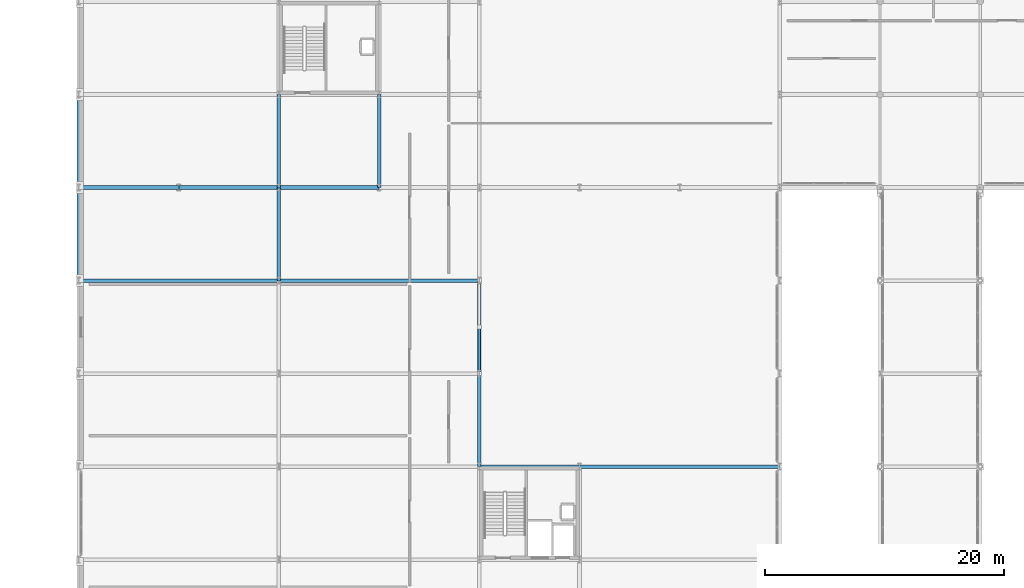
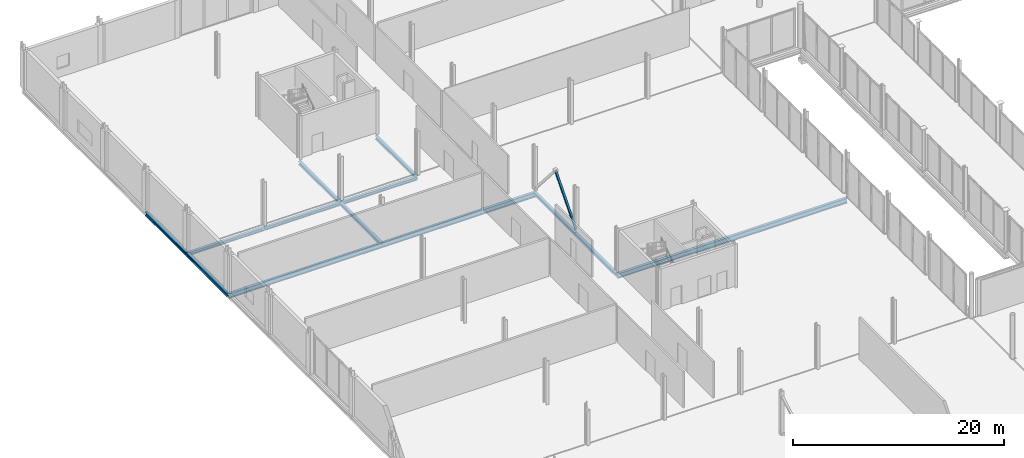
# One storey, part 40 of 105: 14 beams, 1 member.
"""IFC4 building model written with IfcOpenShell, lengths in metres."""

from ifc_helpers import new_model, si_unit, direction, frame, origin, origin_2d, place, context, subcontext, project, spatial, hollow_rectangle, i_section, extrude, material, material_profile, profile_set, type_object, element, save


model = new_model("IFC4")

# Units and contexts
model_context = context("Model", 3, precision=1e-05, world=origin(), true_north=direction((0.0, 1.0)))
body_context = subcontext(model_context, "Body", "Model", "MODEL_VIEW")
ifc_project = project(units=[si_unit("LENGTHUNIT", "METRE"), si_unit("AREAUNIT", "SQUARE_METRE"), si_unit("VOLUMEUNIT", "CUBIC_METRE"), si_unit("PLANEANGLEUNIT", "RADIAN"), si_unit("MASSUNIT", "GRAM", prefix="KILO")], contexts=[model_context])

# Site, building, storey
site_placement = place(None, origin())
site = spatial("IfcSite", under=ifc_project, at=site_placement, CompositionType="ELEMENT")
building_placement = place(site_placement, origin())
building = spatial("IfcBuilding", under=site, at=building_placement, Name="Nabrawat Pavilion Hospital", CompositionType="ELEMENT")
storey_placement = place(building_placement, frame((0.0, 0.0, 5.10009765625)))
storey = spatial("IfcBuildingStorey", under=building, at=storey_placement, Name="L01", CompositionType="ELEMENT", Elevation=5.10009765625)

# Member
ifc_material = material(Name="Steel S355", Category="steel")
ifc_material_profile_1 = material_profile(ifc_material, hollow_rectangle(XDim=0.199951171875, YDim=0.199951171875, WallThickness=0.012451171875, at=origin_2d()), Name="SHS 200x200x12.5")
ifc_profile_set_1 = profile_set([ifc_material_profile_1], Name="Steel S355")
member_type = type_object("IfcMemberType", Name="Mid Seismic Chevron Brace SHS 200x200x12.5", PredefinedType="BRACE", material=ifc_profile_set_1)
member_placement = place(storey_placement, frame((33.60009765625, 70.199951171875, 0.0498046875), z_axis=(0.0, 0.654944585876, 0.755676908098), x_axis=(-1.0, 0.0, 0.0)))
element("IfcMember", 1, at=member_placement, inside=storey, type_object=member_type, Name="L01 Seismic Concentric Chevron Brace 029", PredefinedType="BRACE", context=body_context, shape_type="SweptSolid", body=[
    extrude(hollow_rectangle(XDim=0.199951171875, YDim=0.199951171875, WallThickness=0.012451171875, at=origin_2d()), origin(), (0.0, 0.0, 1.0), 5.954833984375),
])

# Beams
ifc_material_profile_2 = material_profile(ifc_material, i_section(OverallWidth=0.300048828125, OverallDepth=0.389892578125, WebThickness=0.010986328125, FlangeThickness=0.01904296875, FilletRadius=0.027099609375, at=origin_2d()), Name="HEA 400")
ifc_profile_set_2 = profile_set([ifc_material_profile_2], Name="Steel S355")
beam_type_1 = type_object("IfcBeamType", Name="Perimeter Moment Spandrel Beam HEA 400", PredefinedType="SPANDREL", material=ifc_profile_set_2)
for number, where, z_axis, x_axis, name in (
    (2, (0.0, 78.02001953125, -0.465087890625), (0.0, 1.0, 0.0), (-1.0, 0.0, 0.0), "L01 Primary Y Beam 704"),
    (3, (0.0, 85.820068359375, -0.465087890625), (0.0, 1.0, 0.0), (-1.0, 0.0, 0.0), "L01 Primary Y Beam 705"),
):
    element("IfcBeam", number, at=place(storey_placement, frame(where, z_axis=z_axis, x_axis=x_axis)), inside=storey, type_object=beam_type_1, Name=name, PredefinedType="SPANDREL", context=body_context, shape_type="SweptSolid", body=[
        extrude(i_section(OverallWidth=0.300048828125, OverallDepth=0.389892578125, WebThickness=0.010986328125, FlangeThickness=0.01904296875, FilletRadius=0.027099609375, at=origin_2d()), origin(), (0.0, 0.0, 1.0), 7.760009765625),
    ])
ifc_material_profile_3 = material_profile(ifc_material, i_section(OverallWidth=0.300048828125, OverallDepth=0.550048828125, WebThickness=0.014892578125, FlangeThickness=0.029052734375, FilletRadius=0.027099609375, at=origin_2d()), Name="HEB 550")
ifc_profile_set_3 = profile_set([ifc_material_profile_3], Name="Steel S355")
beam_type_2 = type_object("IfcBeamType", Name="Primary Floor Girder HEB 550", PredefinedType="USERDEFINED", material=ifc_profile_set_3)
beam_1_placement = place(storey_placement, frame((33.6201171875, 62.39990234375, -0.545166015625), z_axis=(1.0, 0.0, 0.0), x_axis=(0.0, 1.0, 0.0)))
element("IfcBeam", 4, at=beam_1_placement, inside=storey, type_object=beam_type_2, Name="L01 Primary X Girder 564", ObjectType="GIRDER", PredefinedType="USERDEFINED", context=body_context, shape_type="SweptSolid", body=[
    extrude(i_section(OverallWidth=0.300048828125, OverallDepth=0.550048828125, WebThickness=0.014892578125, FlangeThickness=0.029052734375, FilletRadius=0.027099609375, at=origin_2d()), origin(), (0.0, 0.0, 1.0), 8.35986328125),
])
for number, where, z_axis, x_axis, name in (
    (5, (0.02001953125, 78.0, -0.545166015625), (1.0, 0.0, 0.0), (0.0, 1.0, 0.0), "L01 Primary X Girder 587"),
    (6, (16.820068359375, 78.0, -0.545166015625), (1.0, 0.0, 0.0), (0.0, 1.0, 0.0), "L01 Primary X Girder 588"),
):
    element("IfcBeam", number, at=place(storey_placement, frame(where, z_axis=z_axis, x_axis=x_axis)), inside=storey, type_object=beam_type_2, Name=name, ObjectType="GIRDER", PredefinedType="USERDEFINED", context=body_context, shape_type="SweptSolid", body=[
        extrude(i_section(OverallWidth=0.300048828125, OverallDepth=0.550048828125, WebThickness=0.014892578125, FlangeThickness=0.029052734375, FilletRadius=0.027099609375, at=origin_2d()), origin(), (0.0, 0.0, 1.0), 16.760009765625),
    ])
ifc_material_profile_4 = material_profile(ifc_material, i_section(OverallWidth=0.300048828125, OverallDepth=0.60009765625, WebThickness=0.015380859375, FlangeThickness=0.030029296875, FilletRadius=0.027099609375, at=origin_2d()), Name="HEB 600")
ifc_profile_set_4 = profile_set([ifc_material_profile_4], Name="Steel S355")
beam_type_3 = type_object("IfcBeamType", Name="Primary Long-Span Girder HEB 600", PredefinedType="USERDEFINED", material=ifc_profile_set_4)
beam_2_placement = place(storey_placement, frame((42.02001953125, 62.39990234375, -0.570068359375), z_axis=(1.0, 0.0, 0.0), x_axis=(0.0, 1.0, 0.0)))
element("IfcBeam", 7, at=beam_2_placement, inside=storey, type_object=beam_type_3, Name="L01 Primary X Girder 565", ObjectType="GIRDER", PredefinedType="USERDEFINED", context=body_context, shape_type="SweptSolid", body=[
    extrude(i_section(OverallWidth=0.300048828125, OverallDepth=0.60009765625, WebThickness=0.015380859375, FlangeThickness=0.030029296875, FilletRadius=0.027099609375, at=origin_2d()), origin(), (0.0, 0.0, 1.0), 16.760009765625),
])
ifc_material_profile_5 = material_profile(ifc_material, i_section(OverallWidth=0.300048828125, OverallDepth=0.360107421875, WebThickness=0.012451171875, FlangeThickness=0.0224609375, FilletRadius=0.027099609375, at=origin_2d()), Name="HEB 360")
ifc_profile_set_5 = profile_set([ifc_material_profile_5], Name="Steel S355")
beam_type_4 = type_object("IfcBeamType", Name="Surgical Perimeter Spandrel HEB 360", PredefinedType="SPANDREL", material=ifc_profile_set_5)
beam_3_placement = place(storey_placement, frame((0.02001953125, 85.800048828125, -0.4501953125), z_axis=(1.0, 0.0, 0.0), x_axis=(0.0, 1.0, 0.0)))
element("IfcBeam", 8, at=beam_3_placement, inside=storey, type_object=beam_type_4, Name="L01 Primary X Girder 599", PredefinedType="SPANDREL", context=body_context, shape_type="SweptSolid", body=[
    extrude(i_section(OverallWidth=0.300048828125, OverallDepth=0.360107421875, WebThickness=0.012451171875, FlangeThickness=0.0224609375, FilletRadius=0.027099609375, at=origin_2d()), origin(), (0.0, 0.0, 1.0), 8.35986328125),
])
beam_4_placement = place(storey_placement, frame((8.419921875, 85.800048828125, -0.4501953125), z_axis=(1.0, 0.0, 0.0), x_axis=(0.0, 1.0, 0.0)))
element("IfcBeam", 9, at=beam_4_placement, inside=storey, type_object=beam_type_4, Name="L01 Primary X Girder 600", PredefinedType="SPANDREL", context=body_context, shape_type="SweptSolid", body=[
    extrude(i_section(OverallWidth=0.300048828125, OverallDepth=0.360107421875, WebThickness=0.012451171875, FlangeThickness=0.0224609375, FilletRadius=0.027099609375, at=origin_2d()), origin(), (0.0, 0.0, 1.0), 8.360107421875),
])
beam_5_placement = place(storey_placement, frame((16.820068359375, 85.800048828125, -0.4501953125), z_axis=(1.0, 0.0, 0.0), x_axis=(0.0, 1.0, 0.0)))
element("IfcBeam", 10, at=beam_5_placement, inside=storey, type_object=beam_type_4, Name="L01 Primary X Girder 601", PredefinedType="SPANDREL", context=body_context, shape_type="SweptSolid", body=[
    extrude(i_section(OverallWidth=0.300048828125, OverallDepth=0.360107421875, WebThickness=0.012451171875, FlangeThickness=0.0224609375, FilletRadius=0.027099609375, at=origin_2d()), origin(), (0.0, 0.0, 1.0), 8.35986328125),
])
ifc_material_profile_6 = material_profile(ifc_material, i_section(OverallWidth=0.300048828125, OverallDepth=0.35009765625, WebThickness=0.009521484375, FlangeThickness=0.017578125, FilletRadius=0.027099609375, at=origin_2d()), Name="HEA 360")
ifc_profile_set_6 = profile_set([ifc_material_profile_6], Name="Steel S355")
beam_type_5 = type_object("IfcBeamType", Name="Surgical Stiffened Beam HEA 360", PredefinedType="BEAM", material=ifc_profile_set_6)
for number, where, z_axis, x_axis, name in (
    (11, (16.800048828125, 78.02001953125, -0.445068359375), (0.0, 1.0, 0.0), (-1.0, 0.0, 0.0), "L01 Primary Y Beam 719"),
    (12, (16.800048828125, 85.820068359375, -0.445068359375), (0.0, 1.0, 0.0), (-1.0, 0.0, 0.0), "L01 Primary Y Beam 720"),
    (13, (25.199951171875, 85.820068359375, -0.445068359375), (0.0, 1.0, 0.0), (-1.0, 0.0, 0.0), "L01 Primary Y Beam 727"),
    (14, (33.60009765625, 62.419921875, -0.445068359375), (0.0, 1.0, 0.0), (-1.0, 0.0, 0.0), "L01 Primary Y Beam 738"),
    (15, (33.60009765625, 70.219970703125, -0.445068359375), (0.0, 1.0, 0.0), (-1.0, 0.0, 0.0), "L01 Primary Y Beam 739"),
):
    element("IfcBeam", number, at=place(storey_placement, frame(where, z_axis=z_axis, x_axis=x_axis)), inside=storey, type_object=beam_type_5, Name=name, PredefinedType="BEAM", context=body_context, shape_type="SweptSolid", body=[
        extrude(i_section(OverallWidth=0.300048828125, OverallDepth=0.35009765625, WebThickness=0.009521484375, FlangeThickness=0.017578125, FilletRadius=0.027099609375, at=origin_2d()), origin(), (0.0, 0.0, 1.0), 7.760009765625),
    ])

save(model, "model.ifc")
